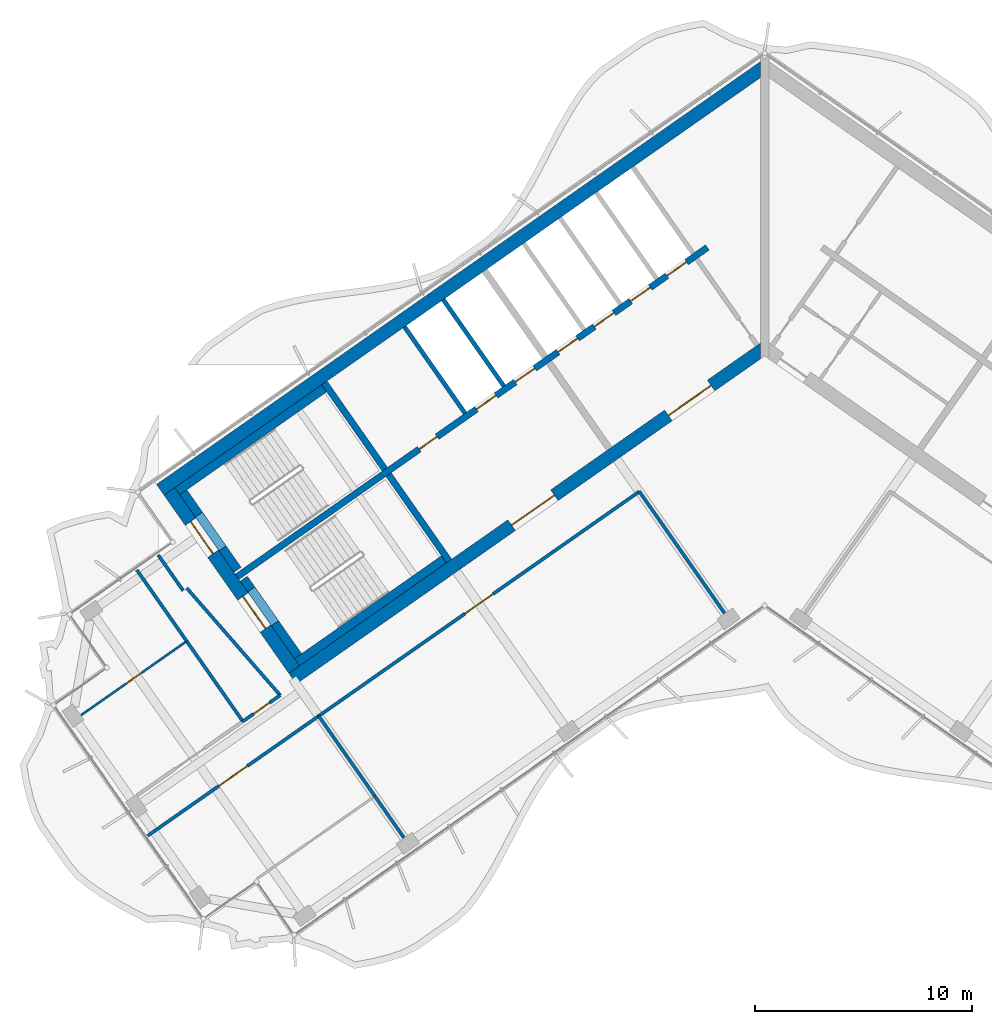
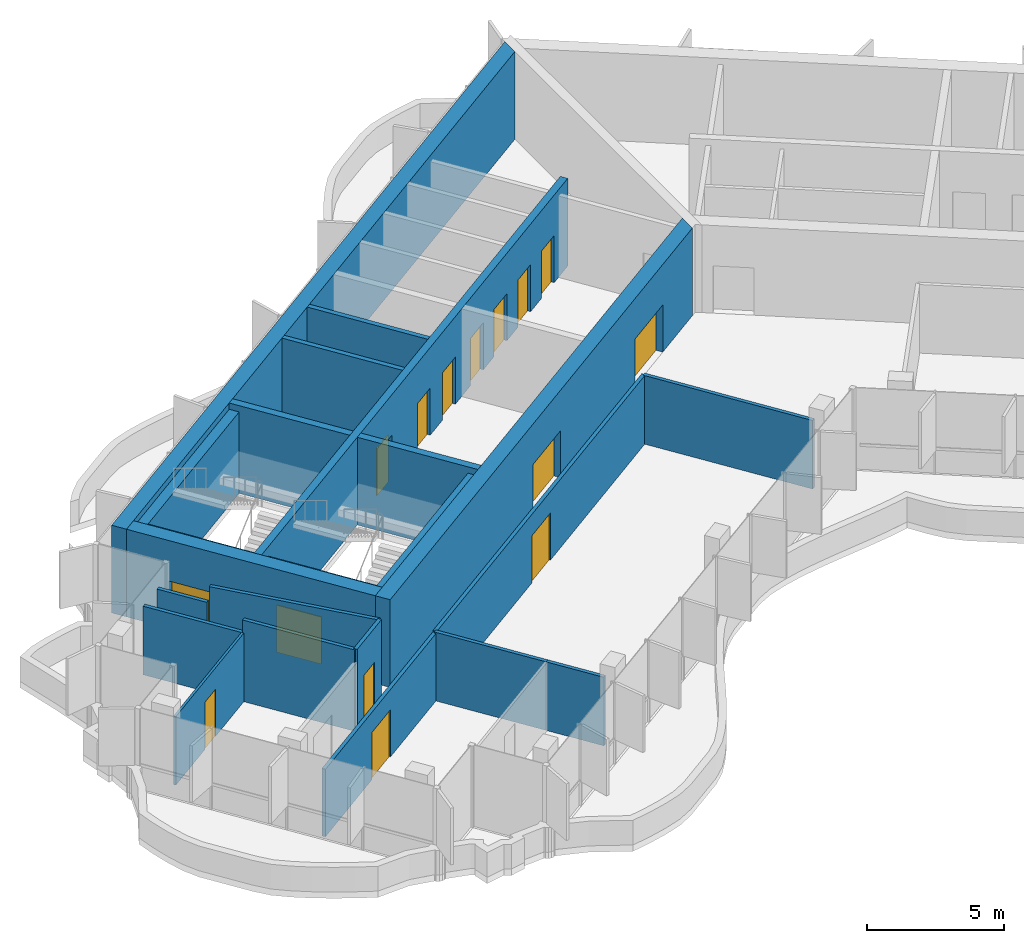
# One storey, part 11 of 19: 27 walls, 15 doors, 15 openings.
"""IFC4 building model written with IfcOpenShell, lengths in metres."""

from ifc_helpers import new_model, si_unit, direction, frame, frame_2d, origin, place, context, subcontext, project, spatial, polyline, rectangle, outline, extrude, material, layer, layer_set, type_object, element, fill, save


model = new_model("IFC4")

# Units and contexts
model_context = context("Model", 3, precision=1e-05, world=origin(), true_north=direction((0.0, 1.0)))
body_context = subcontext(model_context, "Body", "Model", "MODEL_VIEW")
ifc_project = project(units=[si_unit("LENGTHUNIT", "METRE"), si_unit("AREAUNIT", "SQUARE_METRE"), si_unit("VOLUMEUNIT", "CUBIC_METRE"), si_unit("PLANEANGLEUNIT", "RADIAN"), si_unit("MASSUNIT", "GRAM", prefix="KILO")], contexts=[model_context])

# Site, building, storey
site_placement = place(None, origin())
site = spatial("IfcSite", under=ifc_project, at=site_placement, CompositionType="ELEMENT")
building_placement = place(site_placement, origin())
building = spatial("IfcBuilding", under=site, at=building_placement, Name="Tel Ilan Convention Tower", CompositionType="ELEMENT")
storey_placement = place(building_placement, frame((0.0, 0.0, 241.0)))
storey = spatial("IfcBuildingStorey", under=building, at=storey_placement, Name="L56", CompositionType="ELEMENT", Elevation=241.0)

# Walls
ifc_material_1 = material(Name="Concrete C40/50", Category="concrete")
ifc_layer_1 = layer(ifc_material_1, 0.300048828125)
ifc_layer_set_1 = layer_set([ifc_layer_1], Name="Core Shear Wall 300 mm C40/50")
wall_type_1 = type_object("IfcWallType", Name="Core Shear Wall 300 mm C40/50", PredefinedType="SHEAR", material=ifc_layer_set_1)
wall_1_placement = place(storey_placement, frame((-14.515380859375, -10.652099609375, 0.0), z_axis=(0.0, 0.0, 1.0), x_axis=(-0.573560315113, 0.819163332265, 0.0)))
element("IfcWall", 1, at=wall_1_placement, inside=storey, type_object=wall_type_1, Name="L56 core wall W-cross2-1", PredefinedType="SHEAR", context=body_context, shape_type="SweptSolid", body=[
    extrude(outline(polyline([(4.85009765625, 0.14990234375), (0.0, 0.14990234375), (0.0, -0.150146484375), (4.85009765625, -0.14990234375), (4.85009765625, 0.14990234375)])), origin(), (0.0, 0.0, 1.0), 3.89990234375),
])
wall_2_placement = place(storey_placement, frame((-17.46923828125, -6.433349609375, 0.0), z_axis=(0.0, 0.0, 1.0), x_axis=(-0.573594092424, 0.81913968109, 0.0)))
element("IfcWall", 2, at=wall_2_placement, inside=storey, type_object=wall_type_1, Name="L56 core wall W-cross2-2", PredefinedType="SHEAR", context=body_context, shape_type="SweptSolid", body=[
    extrude(outline(polyline([(4.849853515625, -0.150146484375), (4.849853515625, 0.14990234375), (0.0, 0.14990234375), (0.0, -0.14990234375), (4.849853515625, -0.150146484375)])), origin(), (0.0, 0.0, 1.0), 3.89990234375),
])

# Wall, openings, doors
wall_3_placement = place(storey_placement, frame((-2.638427734375, 3.76806640625, 0.0), z_axis=(0.0, 0.0, 1.0), x_axis=(-0.819155014212, -0.573572194837, 0.0)))
wall_3 = element("IfcWall", 3, at=wall_3_placement, inside=storey, type_object=wall_type_1, Name="L56 core wall W-spine", PredefinedType="SHEAR", context=body_context, shape_type="SweptSolid", body=[
    extrude(outline(polyline([(26.39990234375, 0.150146484375), (0.0, 0.14990234375), (0.0, -0.150146484375), (26.39990234375, -0.14990234375), (26.39990234375, 0.150146484375)])), origin(), (0.0, 0.0, 1.0), 3.89990234375),
])
opening_1_placement = place(wall_3_placement, frame((1.168701171875, 0.0, 0.0)))
opening_1 = element("IfcOpeningElement", 4, at=opening_1_placement, cuts=wall_3, Name="Opening LD4304", PredefinedType="OPENING", context=body_context, shape_type="SweptSolid", body=[
    extrude(rectangle(XDim=1.10009765625, YDim=2.10009765625, at=frame_2d((0.550048828125, 1.050048828125))), frame((0.0, 0.159912109375, 0.0), z_axis=(0.0, -1.0, 0.0), x_axis=(1.0, 0.0, 0.0)), (0.0, 0.0, 1.0), 0.320068359375),
])
opening_2_placement = place(wall_3_placement, frame((3.206298828125, 0.0, 0.0)))
opening_2 = element("IfcOpeningElement", 5, at=opening_2_placement, cuts=wall_3, Name="Opening LD4305", PredefinedType="OPENING", context=body_context, shape_type="SweptSolid", body=[
    extrude(rectangle(XDim=1.10009765625, YDim=2.10009765625, at=frame_2d((0.550048828125, 1.050048828125))), frame((0.0, 0.159912109375, 0.0), z_axis=(0.0, -1.0, 0.0), x_axis=(1.0, 0.0, 0.0)), (0.0, 0.0, 1.0), 0.320068359375),
])
opening_3_placement = place(wall_3_placement, frame((5.24365234375, 0.0, 0.0)))
opening_3 = element("IfcOpeningElement", 6, at=opening_3_placement, cuts=wall_3, Name="Opening LD4306", PredefinedType="OPENING", context=body_context, shape_type="SweptSolid", body=[
    extrude(rectangle(XDim=1.10009765625, YDim=2.10009765625, at=frame_2d((0.550048828125, 1.050048828125))), frame((0.0, 0.159912109375, 0.0), z_axis=(0.0, -1.0, 0.0), x_axis=(1.0, 0.0, 0.0)), (0.0, 0.0, 1.0), 0.320068359375),
])
opening_4_placement = place(wall_3_placement, frame((7.28125, 0.0, 0.0)))
opening_4 = element("IfcOpeningElement", 7, at=opening_4_placement, cuts=wall_3, Name="Opening LD4307", PredefinedType="OPENING", context=body_context, shape_type="SweptSolid", body=[
    extrude(rectangle(XDim=1.10009765625, YDim=2.10009765625, at=frame_2d((0.550048828125, 1.050048828125))), frame((0.0, 0.159912109375, 0.0), z_axis=(0.0, -1.0, 0.0), x_axis=(1.0, 0.0, 0.0)), (0.0, 0.0, 1.0), 0.320068359375),
])
opening_5_placement = place(wall_3_placement, frame((9.6875, 0.0, 0.0)))
opening_5 = element("IfcOpeningElement", 8, at=opening_5_placement, cuts=wall_3, Name="Opening LD4308", PredefinedType="OPENING", context=body_context, shape_type="SweptSolid", body=[
    extrude(rectangle(XDim=1.10009765625, YDim=2.10009765625, at=frame_2d((0.550048828125, 1.050048828125))), frame((0.0, 0.159912109375, 0.0), z_axis=(0.0, -1.0, 0.0), x_axis=(1.0, 0.0, 0.0)), (0.0, 0.0, 1.0), 0.320068359375),
])
opening_6_placement = place(wall_3_placement, frame((11.862548828125, 0.0, 0.0)))
opening_6 = element("IfcOpeningElement", 9, at=opening_6_placement, cuts=wall_3, Name="Opening LD4309", PredefinedType="OPENING", context=body_context, shape_type="SweptSolid", body=[
    extrude(rectangle(XDim=1.10009765625, YDim=2.10009765625, at=frame_2d((0.550048828125, 1.050048828125))), frame((0.0, 0.159912109375, 0.0), z_axis=(0.0, -1.0, 0.0), x_axis=(1.0, 0.0, 0.0)), (0.0, 0.0, 1.0), 0.320068359375),
])
opening_7_placement = place(wall_3_placement, frame((15.175048828125, 0.0, 0.0)))
opening_7 = element("IfcOpeningElement", 10, at=opening_7_placement, cuts=wall_3, Name="Opening CD4309", PredefinedType="OPENING", context=body_context, shape_type="SweptSolid", body=[
    extrude(rectangle(XDim=1.0, YDim=2.10009765625, at=frame_2d((0.5, 1.050048828125))), frame((0.0, 0.159912109375, 0.0), z_axis=(0.0, -1.0, 0.0), x_axis=(1.0, 0.0, 0.0)), (0.0, 0.0, 1.0), 0.320068359375),
])
ifc_material_2 = material(Name="Stainless Steel Sliding Door Leaf", Category="steel")
door_type_1 = type_object("IfcDoorType", Name="Lift Landing Door 1100 x 2100 FD120", OperationType="NOTDEFINED", PredefinedType="DOOR", material=ifc_material_2)
door_1_placement = place(opening_1_placement, origin())
door_1 = element("IfcDoor", 11, at=door_1_placement, inside=storey, type_object=door_type_1, Name="Lift HR1 landing door", OperationType="SLIDING_TO_LEFT", OverallHeight=2.10009765625, OverallWidth=1.10009765625, PredefinedType="DOOR", context=body_context, shape_type="SweptSolid", body=[
    extrude(rectangle(XDim=1.10009765625, YDim=2.10009765625, at=frame_2d((0.550048828125, 1.050048828125))), frame((0.0, 0.02490234375, 0.0), z_axis=(0.0, -1.0, 0.0), x_axis=(1.0, 0.0, 0.0)), (0.0, 0.0, 1.0), 0.050048828125),
])
fill(opening_1, door_1)
door_2_placement = place(opening_2_placement, origin())
door_2 = element("IfcDoor", 12, at=door_2_placement, inside=storey, type_object=door_type_1, Name="Lift HR2 landing door", OperationType="SLIDING_TO_RIGHT", OverallHeight=2.10009765625, OverallWidth=1.10009765625, PredefinedType="DOOR", context=body_context, shape_type="SweptSolid", body=[
    extrude(rectangle(XDim=1.10009765625, YDim=2.10009765625, at=frame_2d((0.550048828125, 1.050048828125))), frame((0.0, 0.02490234375, 0.0), z_axis=(0.0, -1.0, 0.0), x_axis=(1.0, 0.0, 0.0)), (0.0, 0.0, 1.0), 0.050048828125),
])
fill(opening_2, door_2)
door_3_placement = place(opening_3_placement, origin())
door_3 = element("IfcDoor", 13, at=door_3_placement, inside=storey, type_object=door_type_1, Name="Lift HR3 landing door", OperationType="SLIDING_TO_LEFT", OverallHeight=2.10009765625, OverallWidth=1.10009765625, PredefinedType="DOOR", context=body_context, shape_type="SweptSolid", body=[
    extrude(rectangle(XDim=1.10009765625, YDim=2.10009765625, at=frame_2d((0.550048828125, 1.050048828125))), frame((0.0, 0.02490234375, 0.0), z_axis=(0.0, -1.0, 0.0), x_axis=(1.0, 0.0, 0.0)), (0.0, 0.0, 1.0), 0.050048828125),
])
fill(opening_3, door_3)
door_4_placement = place(opening_4_placement, origin())
door_4 = element("IfcDoor", 14, at=door_4_placement, inside=storey, type_object=door_type_1, Name="Lift HR4 landing door", OperationType="SLIDING_TO_RIGHT", OverallHeight=2.10009765625, OverallWidth=1.10009765625, PredefinedType="DOOR", context=body_context, shape_type="SweptSolid", body=[
    extrude(rectangle(XDim=1.10009765625, YDim=2.10009765625, at=frame_2d((0.550048828125, 1.050048828125))), frame((0.0, 0.02490234375, 0.0), z_axis=(0.0, -1.0, 0.0), x_axis=(1.0, 0.0, 0.0)), (0.0, 0.0, 1.0), 0.050048828125),
])
fill(opening_4, door_4)
door_5_placement = place(opening_5_placement, origin())
door_5 = element("IfcDoor", 15, at=door_5_placement, inside=storey, type_object=door_type_1, Name="Lift HR5 landing door", OperationType="SLIDING_TO_LEFT", OverallHeight=2.10009765625, OverallWidth=1.10009765625, PredefinedType="DOOR", context=body_context, shape_type="SweptSolid", body=[
    extrude(rectangle(XDim=1.10009765625, YDim=2.10009765625, at=frame_2d((0.550048828125, 1.050048828125))), frame((0.0, 0.02490234375, 0.0), z_axis=(0.0, -1.0, 0.0), x_axis=(1.0, 0.0, 0.0)), (0.0, 0.0, 1.0), 0.050048828125),
])
fill(opening_5, door_5)
door_6_placement = place(opening_6_placement, origin())
door_6 = element("IfcDoor", 16, at=door_6_placement, inside=storey, type_object=door_type_1, Name="Lift HR6 landing door", OperationType="SLIDING_TO_RIGHT", OverallHeight=2.10009765625, OverallWidth=1.10009765625, PredefinedType="DOOR", context=body_context, shape_type="SweptSolid", body=[
    extrude(rectangle(XDim=1.10009765625, YDim=2.10009765625, at=frame_2d((0.550048828125, 1.050048828125))), frame((0.0, 0.02490234375, 0.0), z_axis=(0.0, -1.0, 0.0), x_axis=(1.0, 0.0, 0.0)), (0.0, 0.0, 1.0), 0.050048828125),
])
fill(opening_6, door_6)
ifc_material_3 = material(Name="Galvanised Steel Door Leaf", Category="steel")
door_type_2 = type_object("IfcDoorType", Name="Service Room Door 1000 x 2100 FD60", OperationType="NOTDEFINED", PredefinedType="DOOR", material=ifc_material_3)
door_7_placement = place(opening_7_placement, origin())
door_7 = element("IfcDoor", 17, at=door_7_placement, inside=storey, type_object=door_type_2, Name="Plant Room door", OperationType="SINGLE_SWING_RIGHT", OverallHeight=2.10009765625, OverallWidth=1.0, PredefinedType="DOOR", context=body_context, shape_type="SweptSolid", body=[
    extrude(rectangle(XDim=1.0, YDim=2.10009765625, at=frame_2d((0.5, 1.050048828125))), frame((0.0, 0.02490234375, 0.0), z_axis=(0.0, -1.0, 0.0), x_axis=(1.0, 0.0, 0.0)), (0.0, 0.0, 1.0), 0.050048828125),
])
fill(opening_7, door_7)

# Wall
ifc_material_4 = material(Name="Concrete C40/50", Category="concrete")
ifc_layer_2 = layer(ifc_material_4, 0.60009765625)
ifc_layer_set_2 = layer_set([ifc_layer_2], Name="Core Shear Wall 600 mm C40/50")
wall_type_2 = type_object("IfcWallType", Name="Core Shear Wall 600 mm C40/50", PredefinedType="SHEAR", material=ifc_layer_set_2)
wall_4_placement = place(storey_placement, frame((-0.02783203125, 12.066162109375, 0.0), z_axis=(0.0, 0.0, 1.0), x_axis=(-0.819151382952, -0.573577380837, 0.0)))
element("IfcWall", 18, at=wall_4_placement, inside=storey, type_object=wall_type_2, Name="L56 core wall W-back", PredefinedType="SHEAR", context=body_context, shape_type="SweptSolid", body=[
    extrude(outline(polyline([(33.89794921875, 0.300048828125), (0.420166015625, 0.300048828125), (0.0, -0.300048828125), (33.898193359375, -0.300048828125), (33.89794921875, 0.300048828125)])), origin(), (0.0, 0.0, 1.0), 3.89990234375),
])

# Wall, openings, doors
wall_5_placement = place(storey_placement, frame((-0.02783203125, -0.8740234375, 0.0), z_axis=(0.0, 0.0, 1.0), x_axis=(-0.819150035022, -0.573579305871, 0.0)))
wall_5 = element("IfcWall", 19, at=wall_5_placement, inside=storey, type_object=wall_type_2, Name="L56 core wall W-front", PredefinedType="SHEAR", context=body_context, shape_type="SweptSolid", body=[
    extrude(outline(polyline([(26.475830078125, 0.2998046875), (0.420166015625, 0.300048828125), (0.000244140625, -0.300048828125), (26.475830078125, -0.300048828125), (26.475830078125, 0.2998046875)])), origin(), (0.0, 0.0, 1.0), 3.89990234375),
])
opening_8_placement = place(wall_5_placement, frame((2.975830078125, 0.0, 0.0)))
opening_8 = element("IfcOpeningElement", 20, at=opening_8_placement, cuts=wall_5, Name="Opening CD4306", PredefinedType="OPENING", context=body_context, shape_type="SweptSolid", body=[
    extrude(rectangle(XDim=2.39990234375, YDim=2.10009765625, at=frame_2d((1.199951171875, 1.050048828125))), frame((0.0, 0.31005859375, 0.0), z_axis=(0.0, -1.0, 0.0), x_axis=(1.0, 0.0, 0.0)), (0.0, 0.0, 1.0), 0.6201171875),
])
opening_9_placement = place(wall_5_placement, frame((11.77587890625, 0.0, 0.0)))
opening_9 = element("IfcOpeningElement", 21, at=opening_9_placement, cuts=wall_5, Name="Opening CD4307", PredefinedType="OPENING", context=body_context, shape_type="SweptSolid", body=[
    extrude(rectangle(XDim=2.39990234375, YDim=2.10009765625, at=frame_2d((1.199951171875, 1.050048828125))), frame((0.0, 0.31005859375, 0.0), z_axis=(0.0, -1.0, 0.0), x_axis=(1.0, 0.0, 0.0)), (0.0, 0.0, 1.0), 0.6201171875),
])
ifc_material_5 = material(Name="Glazed Aluminium Door Leaf", Category="aluminium")
door_type_3 = type_object("IfcDoorType", Name="Lobby Opening Door 2400 x 2100 FD60S", OperationType="NOTDEFINED", PredefinedType="DOOR", material=ifc_material_5)
door_8_placement = place(opening_8_placement, origin())
door_8 = element("IfcDoor", 22, at=door_8_placement, inside=storey, type_object=door_type_3, Name="Lift Lobby HR1-HR4 opening", OperationType="DOUBLE_DOOR_SINGLE_SWING", OverallHeight=2.10009765625, OverallWidth=2.39990234375, PredefinedType="DOOR", context=body_context, shape_type="SweptSolid", body=[
    extrude(rectangle(XDim=2.39990234375, YDim=2.10009765625, at=frame_2d((1.199951171875, 1.050048828125))), frame((0.0, 0.02490234375, 0.0), z_axis=(0.0, -1.0, 0.0), x_axis=(1.0, 0.0, 0.0)), (0.0, 0.0, 1.0), 0.050048828125),
])
fill(opening_8, door_8)
door_9_placement = place(opening_9_placement, origin())
door_9 = element("IfcDoor", 23, at=door_9_placement, inside=storey, type_object=door_type_3, Name="Lift Lobby HR5-HR6 opening", OperationType="DOUBLE_DOOR_SINGLE_SWING", OverallHeight=2.10009765625, OverallWidth=2.39990234375, PredefinedType="DOOR", context=body_context, shape_type="SweptSolid", body=[
    extrude(rectangle(XDim=2.39990234375, YDim=2.10009765625, at=frame_2d((1.199951171875, 1.050048828125))), frame((0.0, 0.02490234375, 0.0), z_axis=(0.0, -1.0, 0.0), x_axis=(1.0, 0.0, 0.0)), (0.0, 0.0, 1.0), 0.050048828125),
])
fill(opening_9, door_9)

wall_6_placement = place(storey_placement, frame((-21.641845703125, -15.64208984375, 0.0), z_axis=(0.0, 0.0, 1.0), x_axis=(-0.573586866468, 0.819144740944, 0.0)))
wall_6 = element("IfcWall", 24, at=wall_6_placement, inside=storey, type_object=wall_type_2, Name="L56 core wall W-end", PredefinedType="SHEAR", context=body_context, shape_type="SweptSolid", body=[
    extrude(outline(polyline([(0.0, 0.300048828125), (0.0, -0.2998046875), (10.0, -0.300048828125), (10.0, 0.300048828125), (0.0, 0.300048828125)])), origin(), (0.0, 0.0, 1.0), 3.89990234375),
])
opening_10_placement = place(wall_6_placement, frame((6.5, 0.0, 0.0)))
opening_10 = element("IfcOpeningElement", 25, at=opening_10_placement, cuts=wall_6, Name="Opening SD4301", PredefinedType="OPENING", context=body_context, shape_type="SweptSolid", body=[
    extrude(rectangle(XDim=1.800048828125, YDim=2.10009765625, at=frame_2d((0.89990234375, 1.050048828125))), frame((0.0, 0.31005859375, 0.0), z_axis=(0.0, -1.0, 0.0), x_axis=(1.0, 0.0, 0.0)), (0.0, 0.0, 1.0), 0.6201171875),
])
opening_11_placement = place(wall_6_placement, frame((2.300048828125, 0.0, 0.0)))
opening_11 = element("IfcOpeningElement", 26, at=opening_11_placement, cuts=wall_6, Name="Opening SD4302", PredefinedType="OPENING", context=body_context, shape_type="SweptSolid", body=[
    extrude(rectangle(XDim=1.800048828125, YDim=2.10009765625, at=frame_2d((0.89990234375, 1.050048828125))), frame((0.0, 0.31005859375, 0.0), z_axis=(0.0, -1.0, 0.0), x_axis=(1.0, 0.0, 0.0)), (0.0, 0.0, 1.0), 0.6201171875),
])
ifc_material_6 = material(Name="Galvanised Steel Door Leaf", Category="steel")
door_type_4 = type_object("IfcDoorType", Name="Stair Fire Door 1800 x 2100 FD60S", OperationType="NOTDEFINED", PredefinedType="DOOR", material=ifc_material_6)
door_10_placement = place(opening_10_placement, origin())
door_10 = element("IfcDoor", 27, at=door_10_placement, inside=storey, type_object=door_type_4, Name="Stair S1 door", OperationType="DOUBLE_DOOR_SINGLE_SWING", OverallHeight=2.10009765625, OverallWidth=1.800048828125, PredefinedType="DOOR", context=body_context, shape_type="SweptSolid", body=[
    extrude(rectangle(XDim=1.800048828125, YDim=2.10009765625, at=frame_2d((0.89990234375, 1.050048828125))), frame((0.0, 0.02490234375, 0.0), z_axis=(0.0, -1.0, 0.0), x_axis=(1.0, 0.0, 0.0)), (0.0, 0.0, 1.0), 0.050048828125),
])
fill(opening_10, door_10)
door_11_placement = place(opening_11_placement, origin())
door_11 = element("IfcDoor", 28, at=door_11_placement, inside=storey, type_object=door_type_4, Name="Stair S2 door", OperationType="DOUBLE_DOOR_SINGLE_SWING", OverallHeight=2.10009765625, OverallWidth=1.800048828125, PredefinedType="DOOR", context=body_context, shape_type="SweptSolid", body=[
    extrude(rectangle(XDim=1.800048828125, YDim=2.10009765625, at=frame_2d((0.89990234375, 1.050048828125))), frame((0.0, 0.02490234375, 0.0), z_axis=(0.0, -1.0, 0.0), x_axis=(1.0, 0.0, 0.0)), (0.0, 0.0, 1.0), 0.050048828125),
])
fill(opening_11, door_11)

# Wall, opening, door
ifc_material_7 = material(Name="Plasterboard on Steel Studs", Category="steel")
ifc_layer_3 = layer(ifc_material_7, 0.14990234375)
ifc_layer_set_3 = layer_set([ifc_layer_3], Name="Fire-rated Partition 150 EI 60")
wall_type_3 = type_object("IfcWallType", Name="Fire-rated Partition 150 EI 60", PredefinedType="PARTITIONING", material=ifc_layer_set_3)
wall_7_placement = place(storey_placement, frame((-24.002197265625, -18.028076171875, 0.0), z_axis=(0.0, 0.0, 1.0), x_axis=(0.819144473797, 0.573587247982, 0.0)))
wall_7 = element("IfcWall", 29, at=wall_7_placement, inside=storey, type_object=wall_type_3, Name="Partition 003", PredefinedType="PARTITIONING", context=body_context, shape_type="SweptSolid", body=[
    extrude(rectangle(XDim=2.098876953125, YDim=0.14990234375, at=frame_2d((1.04931640625, 0.0))), origin(), (0.0, 0.0, 1.0), 3.6201171875),
])
opening_12_placement = place(wall_7_placement, frame((0.599365234375, 0.0, 0.0)))
opening_12 = element("IfcOpeningElement", 30, at=opening_12_placement, cuts=wall_7, Name="Opening L56-004", PredefinedType="OPENING", context=body_context, shape_type="SweptSolid", body=[
    extrude(rectangle(XDim=0.89990234375, YDim=2.10009765625, at=frame_2d((0.449951171875, 1.050048828125))), frame((0.0, 0.0849609375, 0.0), z_axis=(0.0, -1.0, 0.0), x_axis=(1.0, 0.0, 0.0)), (0.0, 0.0, 1.0), 0.169921875),
])
ifc_material_8 = material(Name="Timber Door Leaf in Steel Frame", Category="steel")
door_type_5 = type_object("IfcDoorType", Name="Room Fire Door 900x2100", OperationType="NOTDEFINED", PredefinedType="DOOR", material=ifc_material_8)
door_12_placement = place(opening_12_placement, origin())
door_12 = element("IfcDoor", 31, at=door_12_placement, inside=storey, type_object=door_type_5, Name="Door L56-004", OperationType="SINGLE_SWING_RIGHT", OverallHeight=2.10009765625, OverallWidth=0.89990234375, PredefinedType="DOOR", context=body_context, shape_type="SweptSolid", body=[
    extrude(rectangle(XDim=0.89990234375, YDim=2.10009765625, at=frame_2d((0.449951171875, 1.050048828125))), frame((0.0, 0.02490234375, 0.0), z_axis=(0.0, -1.0, 0.0), x_axis=(1.0, 0.0, 0.0)), (0.0, 0.0, 1.0), 0.050048828125),
])
fill(opening_12, door_12)

wall_8_placement = place(storey_placement, frame((-5.766357421875, -7.455810546875, 0.0), z_axis=(0.0, 0.0, 1.0), x_axis=(-0.819153544995, -0.573574293115, 0.0)))
wall_8 = element("IfcWall", 32, at=wall_8_placement, inside=storey, type_object=wall_type_3, Name="Partition 005", PredefinedType="PARTITIONING", context=body_context, shape_type="SweptSolid", body=[
    extrude(rectangle(XDim=18.001953125, YDim=0.14990234375, at=frame_2d((9.0009765625, 0.0))), origin(), (0.0, 0.0, 1.0), 3.050048828125),
])
opening_13_placement = place(wall_8_placement, frame((8.200927734375, 0.0, 0.0)))
opening_13 = element("IfcOpeningElement", 33, at=opening_13_placement, cuts=wall_8, Name="Opening L56-001", PredefinedType="OPENING", context=body_context, shape_type="SweptSolid", body=[
    extrude(rectangle(XDim=1.60009765625, YDim=2.10009765625, at=frame_2d((0.800048828125, 1.050048828125))), frame((0.0, 0.0849609375, 0.0), z_axis=(0.0, -1.0, 0.0), x_axis=(1.0, 0.0, 0.0)), (0.0, 0.0, 1.0), 0.169921875),
])
ifc_material_9 = material(Name="Timber Door Leaf in Steel Frame", Category="steel")
door_type_6 = type_object("IfcDoorType", Name="Tenant Suite Entrance Fire Door 1600x2100", OperationType="NOTDEFINED", PredefinedType="DOOR", material=ifc_material_9)
door_13_placement = place(opening_13_placement, origin())
door_13 = element("IfcDoor", 34, at=door_13_placement, inside=storey, type_object=door_type_6, Name="Door L56-001", OperationType="DOUBLE_DOOR_SINGLE_SWING", OverallHeight=2.10009765625, OverallWidth=1.60009765625, PredefinedType="DOOR", context=body_context, shape_type="SweptSolid", body=[
    extrude(rectangle(XDim=1.60009765625, YDim=2.10009765625, at=frame_2d((0.800048828125, 1.050048828125))), frame((0.0, 0.02490234375, 0.0), z_axis=(0.0, -1.0, 0.0), x_axis=(1.0, 0.0, 0.0)), (0.0, 0.0, 1.0), 0.050048828125),
])
fill(opening_13, door_13)

wall_9_placement = place(storey_placement, frame((-20.509521484375, -17.779052734375, 0.0), z_axis=(0.0, 0.0, 1.0), x_axis=(-0.819147101588, -0.573583495196, 0.0)))
wall_9 = element("IfcWall", 35, at=wall_9_placement, inside=storey, type_object=wall_type_3, Name="Partition 006", PredefinedType="PARTITIONING", context=body_context, shape_type="SweptSolid", body=[
    extrude(rectangle(XDim=9.60205078125, YDim=0.14990234375, at=frame_2d((4.801025390625, 0.0))), origin(), (0.0, 0.0, 1.0), 3.0),
])
opening_14_placement = place(wall_9_placement, frame((4.0009765625, 0.0, 0.0)))
opening_14 = element("IfcOpeningElement", 36, at=opening_14_placement, cuts=wall_9, Name="Opening L56-002", PredefinedType="OPENING", context=body_context, shape_type="SweptSolid", body=[
    extrude(rectangle(XDim=1.60009765625, YDim=2.10009765625, at=frame_2d((0.800048828125, 1.050048828125))), frame((0.0, 0.0849609375, 0.0), z_axis=(0.0, -1.0, 0.0), x_axis=(1.0, 0.0, 0.0)), (0.0, 0.0, 1.0), 0.169921875),
])
door_14_placement = place(opening_14_placement, origin())
door_14 = element("IfcDoor", 37, at=door_14_placement, inside=storey, type_object=door_type_6, Name="Door L56-002", OperationType="DOUBLE_DOOR_SINGLE_SWING", OverallHeight=2.10009765625, OverallWidth=1.60009765625, PredefinedType="DOOR", context=body_context, shape_type="SweptSolid", body=[
    extrude(rectangle(XDim=1.60009765625, YDim=2.10009765625, at=frame_2d((0.800048828125, 1.050048828125))), frame((0.0, 0.02490234375, 0.0), z_axis=(0.0, -1.0, 0.0), x_axis=(1.0, 0.0, 0.0)), (0.0, 0.0, 1.0), 0.050048828125),
])
fill(opening_14, door_14)

# Walls
wall_10_placement = place(storey_placement, frame((-1.848876953125, -13.050537109375, 0.0), z_axis=(0.0, 0.0, 1.0), x_axis=(-0.57357985571, 0.819149650018, 0.0)))
element("IfcWall", 38, at=wall_10_placement, inside=storey, type_object=wall_type_3, Name="Partition 013", PredefinedType="PARTITIONING", context=body_context, shape_type="SweptSolid", body=[
    extrude(rectangle(XDim=6.83203125, YDim=0.14990234375, at=frame_2d((3.416015625, 0.0))), origin(), (0.0, 0.0, 1.0), 3.050048828125),
])
wall_11_placement = place(storey_placement, frame((-26.74609375, -12.013671875, 0.0), z_axis=(0.0, 0.0, 1.0), x_axis=(-0.573568836472, 0.819157365729, 0.0)))
element("IfcWall", 39, at=wall_11_placement, inside=storey, type_object=wall_type_3, Name="Partition 014", PredefinedType="PARTITIONING", context=body_context, shape_type="SweptSolid", body=[
    extrude(rectangle(XDim=2.000244140625, YDim=0.14990234375, at=frame_2d((1.0, 0.0))), origin(), (0.0, 0.0, 1.0), 3.050048828125),
])
wall_12_placement = place(storey_placement, frame((-22.28369140625, -16.826416015625, 0.0), z_axis=(0.0, 0.0, 1.0), x_axis=(-0.656758142177, 0.754101281449, 0.0)))
element("IfcWall", 40, at=wall_12_placement, inside=storey, type_object=wall_type_3, Name="Partition 015", PredefinedType="PARTITIONING", context=body_context, shape_type="SweptSolid", body=[
    extrude(rectangle(XDim=6.53857421875, YDim=0.14990234375, at=frame_2d((3.269287109375, 0.0))), origin(), (0.0, 0.0, 1.0), 3.6201171875),
])
wall_13_placement = place(storey_placement, frame((-26.58154296875, -14.341064453125, 0.0), z_axis=(0.0, 0.0, 1.0), x_axis=(-0.573593387921, 0.81914017441, 0.0)))
element("IfcWall", 41, at=wall_13_placement, inside=storey, type_object=wall_type_3, Name="Partition 016", PredefinedType="PARTITIONING", context=body_context, shape_type="SweptSolid", body=[
    extrude(rectangle(XDim=4.0009765625, YDim=0.14990234375, at=frame_2d((2.00048828125, 0.0))), origin(), (0.0, 0.0, 1.0), 3.050048828125),
])
wall_14_placement = place(storey_placement, frame((-24.0009765625, -18.0263671875, 0.0), z_axis=(0.0, 0.0, 1.0), x_axis=(-0.573589723117, 0.819142740634, 0.0)))
element("IfcWall", 42, at=wall_14_placement, inside=storey, type_object=wall_type_3, Name="Partition 017", PredefinedType="PARTITIONING", context=body_context, shape_type="SweptSolid", body=[
    extrude(rectangle(XDim=4.501953125, YDim=0.14990234375, at=frame_2d((2.2509765625, 0.0))), origin(), (0.0, 0.0, 1.0), 3.6201171875),
])
wall_15_placement = place(storey_placement, frame((-16.593505859375, -23.375, 0.0), z_axis=(0.0, 0.0, 1.0), x_axis=(-0.57362400197, 0.819118736426, 0.0)))
element("IfcWall", 43, at=wall_15_placement, inside=storey, type_object=wall_type_3, Name="Partition 019", PredefinedType="PARTITIONING", context=body_context, shape_type="SweptSolid", body=[
    extrude(rectangle(XDim=2.3310546875, YDim=0.14990234375, at=frame_2d((1.16552734375, 0.0))), origin(), (0.0, 0.0, 1.0), 3.050048828125),
])
wall_16_placement = place(storey_placement, frame((-17.928955078125, -21.468017578125, 0.0), z_axis=(0.0, 0.0, 1.0), x_axis=(-0.573553333433, 0.819168220641, 0.0)))
element("IfcWall", 44, at=wall_16_placement, inside=storey, type_object=wall_type_3, Name="Partition 020", PredefinedType="PARTITIONING", context=body_context, shape_type="SweptSolid", body=[
    extrude(rectangle(XDim=4.501708984375, YDim=0.14990234375, at=frame_2d((2.2509765625, 0.0))), origin(), (0.0, 0.0, 1.0), 3.050048828125),
])
ifc_material_10 = material(Name="Concrete C30/37", Category="concrete")
ifc_layer_4 = layer(ifc_material_10, 0.199951171875)
ifc_layer_set_4 = layer_set([ifc_layer_4], Name="Lift Shaft Wall 200 mm C30/37")
wall_type_4 = type_object("IfcWallType", Name="Lift Shaft Wall 200 mm C30/37", PredefinedType="SOLIDWALL", material=ifc_layer_set_4)
wall_17_placement = place(storey_placement, frame((-12.00146484375, -2.604736328125, 0.0), z_axis=(0.0, 0.0, 1.0), x_axis=(-0.573560315113, 0.819163332265, 0.0)))
element("IfcWall", 45, at=wall_17_placement, inside=storey, type_object=wall_type_4, Name="L56 core wall bank-W2-p0", PredefinedType="SOLIDWALL", context=body_context, shape_type="SweptSolid", body=[
    extrude(rectangle(XDim=4.849853515625, YDim=0.199951171875, at=frame_2d((2.4248046875, 0.0))), origin(), (0.0, 0.0, 1.0), 3.89990234375),
])
wall_18_placement = place(storey_placement, frame((-13.782958984375, -3.852294921875, 0.0), z_axis=(0.0, 0.0, 1.0), x_axis=(-0.573594092424, 0.81913968109, 0.0)))
element("IfcWall", 46, at=wall_18_placement, inside=storey, type_object=wall_type_4, Name="L56 core wall bank-W2-p1", PredefinedType="SOLIDWALL", context=body_context, shape_type="SweptSolid", body=[
    extrude(rectangle(XDim=4.85009765625, YDim=0.199951171875, at=frame_2d((2.425048828125, 0.0))), origin(), (0.0, 0.0, 1.0), 3.89990234375),
])

# Wall, opening, door
ifc_material_11 = material(Name="Plasterboard on Steel Studs", Category="steel")
ifc_layer_5 = layer(ifc_material_11, 0.10009765625)
ifc_layer_set_5 = layer_set([ifc_layer_5], Name="Plasterboard Partition 100")
wall_type_5 = type_object("IfcWallType", Name="Plasterboard Partition 100", PredefinedType="PARTITIONING", material=ifc_layer_set_5)
wall_19_placement = place(storey_placement, frame((-31.440185546875, -17.74072265625, 0.0), z_axis=(0.0, 0.0, 1.0), x_axis=(0.8191390677, 0.573594968395, 0.0)))
wall_19 = element("IfcWall", 47, at=wall_19_placement, inside=storey, type_object=wall_type_5, Name="Partition 018", PredefinedType="PARTITIONING", context=body_context, shape_type="SweptSolid", body=[
    extrude(rectangle(XDim=5.929931640625, YDim=0.10009765625, at=frame_2d((2.96484375, 0.0))), origin(), (0.0, 0.0, 1.0), 3.050048828125),
])
opening_15_placement = place(wall_19_placement, frame((2.514892578125, 0.0, 0.0)))
opening_15 = element("IfcOpeningElement", 48, at=opening_15_placement, cuts=wall_19, Name="Opening L56-006", PredefinedType="OPENING", context=body_context, shape_type="SweptSolid", body=[
    extrude(rectangle(XDim=0.89990234375, YDim=2.10009765625, at=frame_2d((0.449951171875, 1.050048828125))), frame((0.0, 0.06005859375, 0.0), z_axis=(0.0, -1.0, 0.0), x_axis=(1.0, 0.0, 0.0)), (0.0, 0.0, 1.0), 0.1201171875),
])
ifc_material_12 = material(Name="Timber Door Leaf in Steel Frame", Category="steel")
door_type_7 = type_object("IfcDoorType", Name="Room Timber Door 900x2100", OperationType="NOTDEFINED", PredefinedType="DOOR", material=ifc_material_12)
door_15_placement = place(opening_15_placement, origin())
door_15 = element("IfcDoor", 49, at=door_15_placement, inside=storey, type_object=door_type_7, Name="Door L56-006", OperationType="SINGLE_SWING_RIGHT", OverallHeight=2.10009765625, OverallWidth=0.89990234375, PredefinedType="DOOR", context=body_context, shape_type="SweptSolid", body=[
    extrude(rectangle(XDim=0.89990234375, YDim=2.10009765625, at=frame_2d((0.449951171875, 1.050048828125))), frame((0.0, 0.02490234375, 0.0), z_axis=(0.0, -1.0, 0.0), x_axis=(1.0, 0.0, 0.0)), (0.0, 0.0, 1.0), 0.050048828125),
])
fill(opening_15, door_15)

# Walls
ifc_material_13 = material(Name="Concrete C30/37", Category="concrete")
ifc_layer_6 = layer(ifc_material_13, 0.39990234375)
ifc_layer_set_6 = layer_set([ifc_layer_6], Name="Stair and Shaft Lining Wall 400 mm C30/37")
wall_type_6 = type_object("IfcWallType", Name="Stair and Shaft Lining Wall 400 mm C30/37", PredefinedType="SOLIDWALL", material=ifc_layer_set_6)
wall_20_placement = place(storey_placement, frame((-20.25927734375, -2.71044921875, 0.0), z_axis=(0.0, 0.0, 1.0), x_axis=(-0.81914849389, -0.573581506813, 0.0)))
element("IfcWall", 50, at=wall_20_placement, inside=storey, type_object=wall_type_6, Name="L56 core wall lining-S1-t1", PredefinedType="SOLIDWALL", context=body_context, shape_type="SweptSolid", body=[
    extrude(rectangle(XDim=8.249755859375, YDim=0.39990234375, at=frame_2d((4.125, 0.0))), origin(), (0.0, 0.0, 1.0), 3.6201171875),
])
wall_21_placement = place(storey_placement, frame((-24.24365234375, -11.0546875, 0.0), z_axis=(0.0, 0.0, 1.0), x_axis=(-0.573571582932, 0.819155442668, 0.0)))
element("IfcWall", 51, at=wall_21_placement, inside=storey, type_object=wall_type_6, Name="L56 core wall lining-S1-u1-0", PredefinedType="SOLIDWALL", context=body_context, shape_type="SweptSolid", body=[
    extrude(rectangle(XDim=1.199951171875, YDim=0.39990234375, at=frame_2d((0.60009765625, 0.0))), origin(), (0.0, 0.0, 1.0), 3.6201171875),
])
wall_22_placement = place(storey_placement, frame((-26.021728515625, -8.515380859375, 0.0), z_axis=(0.0, 0.0, 1.0), x_axis=(-0.573619628835, 0.819121798889, 0.0)))
element("IfcWall", 52, at=wall_22_placement, inside=storey, type_object=wall_type_6, Name="L56 core wall lining-S1-u1-1", PredefinedType="SOLIDWALL", context=body_context, shape_type="SweptSolid", body=[
    extrude(rectangle(XDim=1.25, YDim=0.39990234375, at=frame_2d((0.625, 0.0))), origin(), (0.0, 0.0, 1.0), 3.6201171875),
])
wall_23_placement = place(storey_placement, frame((-24.931884765625, -10.07177734375, 2.14990234375), z_axis=(0.0, 0.0, 1.0), x_axis=(-0.573591692345, 0.819141361715, 0.0)))
element("IfcWall", 53, at=wall_23_placement, inside=storey, type_object=wall_type_6, Name="L56 core wall lining-S1-u1-lintel", PredefinedType="SOLIDWALL", context=body_context, shape_type="SweptSolid", body=[
    extrude(rectangle(XDim=1.900146484375, YDim=0.39990234375, at=frame_2d((0.9501953125, 0.0))), origin(), (0.0, 0.0, 1.0), 1.47021484375),
])
wall_24_placement = place(storey_placement, frame((-14.7529296875, -10.57421875, 0.0), z_axis=(0.0, 0.0, 1.0), x_axis=(-0.819158229677, -0.573567602601, 0.0)))
element("IfcWall", 54, at=wall_24_placement, inside=storey, type_object=wall_type_6, Name="L56 core wall lining-S2-t0", PredefinedType="SOLIDWALL", context=body_context, shape_type="SweptSolid", body=[
    extrude(rectangle(XDim=8.25, YDim=0.39990234375, at=frame_2d((4.125, 0.0))), origin(), (0.0, 0.0, 1.0), 3.6201171875),
])
wall_25_placement = place(storey_placement, frame((-21.4619140625, -15.027587890625, 0.0), z_axis=(0.0, 0.0, 1.0), x_axis=(-0.573559770908, 0.819163713305, 0.0)))
element("IfcWall", 55, at=wall_25_placement, inside=storey, type_object=wall_type_6, Name="L56 core wall lining-S2-u1-0", PredefinedType="SOLIDWALL", context=body_context, shape_type="SweptSolid", body=[
    extrude(rectangle(XDim=1.849853515625, YDim=0.39990234375, at=frame_2d((0.9248046875, 0.0))), origin(), (0.0, 0.0, 1.0), 3.6201171875),
])
wall_26_placement = place(storey_placement, frame((-23.61279296875, -11.955810546875, 0.0), z_axis=(0.0, 0.0, 1.0), x_axis=(-0.573435029941, 0.819251039936, 0.0)))
element("IfcWall", 56, at=wall_26_placement, inside=storey, type_object=wall_type_6, Name="L56 core wall lining-S2-u1-1", PredefinedType="SOLIDWALL", context=body_context, shape_type="SweptSolid", body=[
    extrude(rectangle(XDim=0.599853515625, YDim=0.39990234375, at=frame_2d((0.2998046875, 0.0))), origin(), (0.0, 0.0, 1.0), 3.6201171875),
])
wall_27_placement = place(storey_placement, frame((-22.52294921875, -13.51220703125, 2.14990234375), z_axis=(0.0, 0.0, 1.0), x_axis=(-0.573591692345, 0.819141361715, 0.0)))
element("IfcWall", 57, at=wall_27_placement, inside=storey, type_object=wall_type_6, Name="L56 core wall lining-S2-u1-lintel", PredefinedType="SOLIDWALL", context=body_context, shape_type="SweptSolid", body=[
    extrude(rectangle(XDim=1.900146484375, YDim=0.39990234375, at=frame_2d((0.9501953125, 0.0))), origin(), (0.0, 0.0, 1.0), 1.47021484375),
])

save(model, "model.ifc")
